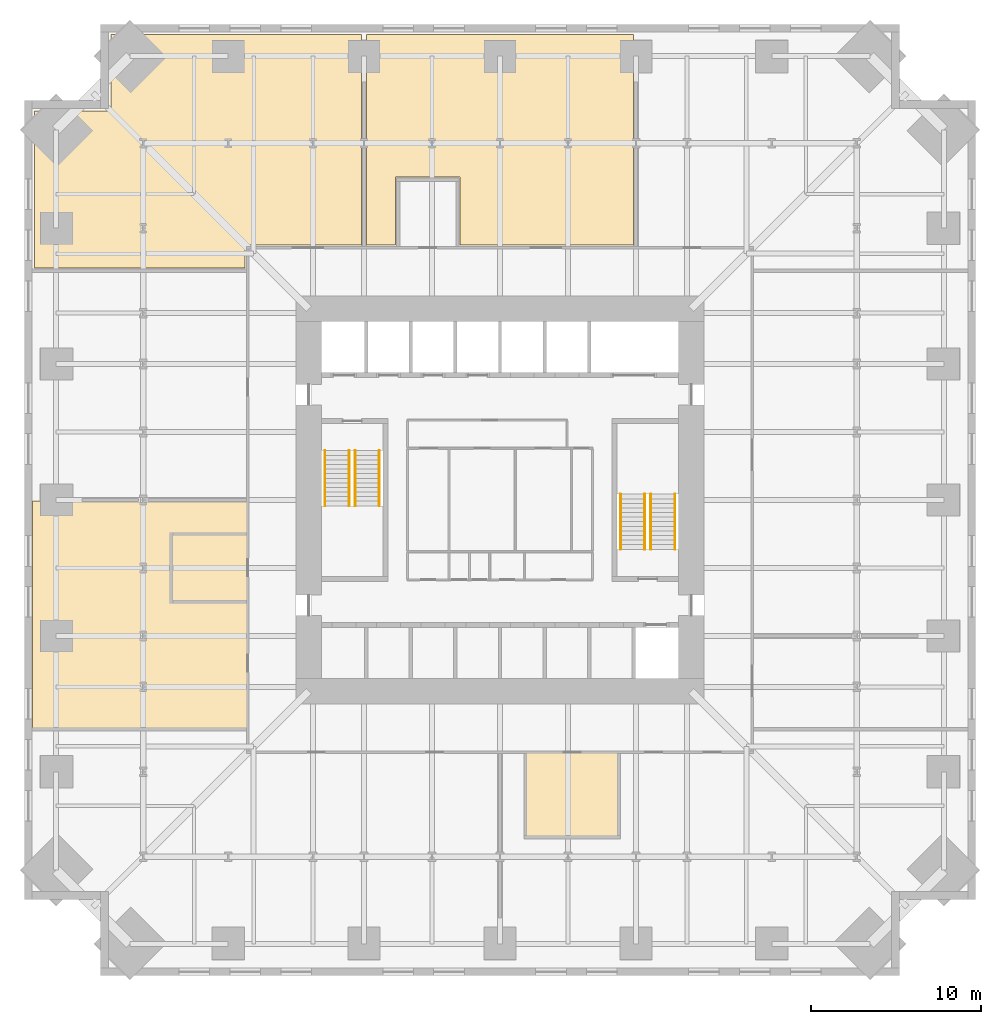
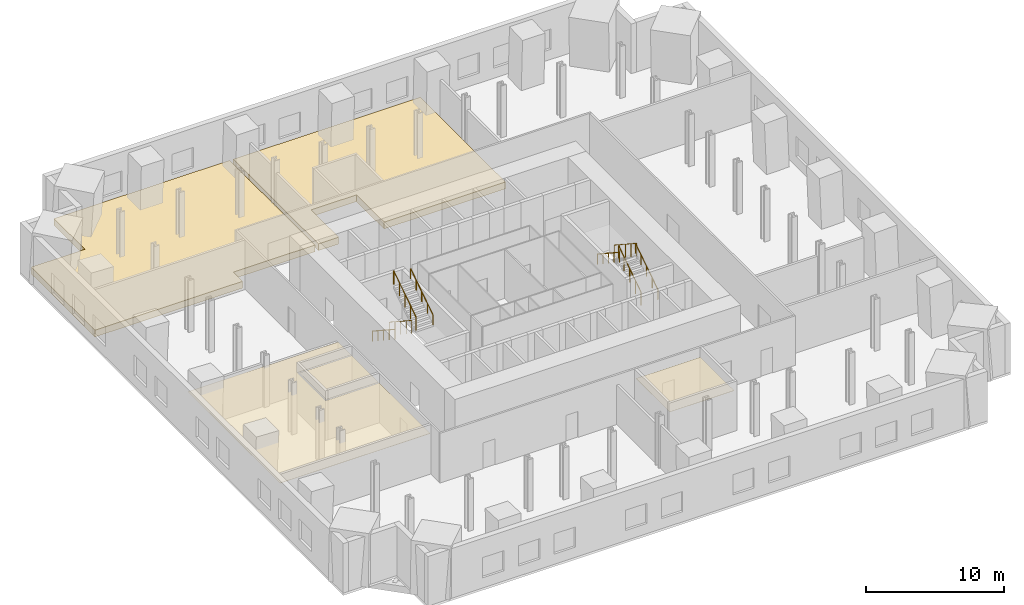
# One storey, part 8 of 8: 8 railings, 5 coverings.
"""IFC4 building model written with IfcOpenShell, lengths in metres."""

from ifc_helpers import new_model, si_unit, direction, frame, origin, origin_2d, place, context, subcontext, project, spatial, polyline, circle, outline, extrude, material, layer, layer_set, type_object, element, save


model = new_model("IFC4")

# Units and contexts
model_context = context("Model", 3, precision=1e-05, world=origin(), true_north=direction((0.0, 1.0)))
body_context = subcontext(model_context, "Body", "Model", "MODEL_VIEW")
ifc_project = project(units=[si_unit("LENGTHUNIT", "METRE"), si_unit("AREAUNIT", "SQUARE_METRE"), si_unit("VOLUMEUNIT", "CUBIC_METRE"), si_unit("PLANEANGLEUNIT", "RADIAN"), si_unit("MASSUNIT", "GRAM", prefix="KILO")], contexts=[model_context])

# Site, building, storey
site_placement = place(None, origin())
site = spatial("IfcSite", under=ifc_project, at=site_placement, CompositionType="ELEMENT")
building_placement = place(site_placement, origin())
building = spatial("IfcBuilding", under=site, at=building_placement, Name="Peilmerk Tower", CompositionType="ELEMENT")
storey_placement = place(building_placement, frame((0.0, 0.0, 118.199951171875)))
storey = spatial("IfcBuildingStorey", under=building, at=storey_placement, Name="L23", CompositionType="ELEMENT", Elevation=118.199951171875)

# Coverings
ifc_material_1 = material(Name="Mineral fibre ceiling tiles", Category="mineral")
ifc_layer_1 = layer(ifc_material_1, 0.02490234375)
ifc_layer_set_1 = layer_set([ifc_layer_1], Name="Mineral fibre ceiling tiles")
covering_type_1 = type_object("IfcCoveringType", Name="CL1 25 suspended ceiling", PredefinedType="CEILING", material=ifc_layer_set_1)
covering_1_placement = place(storey_placement, frame((0.0, 0.0, 3.47509765625)))
element("IfcCovering", 1, at=covering_1_placement, inside=storey, type_object=covering_type_1, Name="Suspended ceiling Operations office", PredefinedType="CEILING", context=body_context, shape_type="SweptSolid", body=[
    extrude(outline(polyline([(6.949951171875, -19.800048828125), (6.949951171875, -14.89990234375), (1.550048828125, -14.89990234375), (1.550048828125, -19.800048828125), (6.949951171875, -19.800048828125)])), origin(), (0.0, 0.0, 1.0), 0.02490234375),
])
covering_2_placement = place(storey_placement, frame((0.0, 0.0, 3.47509765625)))
element("IfcCovering", 2, at=covering_2_placement, inside=storey, type_object=covering_type_1, Name="Suspended ceiling Engineering office", PredefinedType="CEILING", context=body_context, shape_type="SweptSolid", body=[
    extrude(outline(polyline([(-14.89990234375, -0.050048828125), (-27.5, -0.050048828125), (-27.5, -13.449951171875), (-14.89990234375, -13.449951171875), (-14.89990234375, -6.050048828125), (-19.39990234375, -6.050048828125), (-19.39990234375, -1.949951171875), (-14.89990234375, -1.949951171875), (-14.89990234375, -0.050048828125)])), origin(), (0.0, 0.0, 1.0), 0.02490234375),
])
covering_3_placement = place(storey_placement, frame((0.0, 0.0, 3.47509765625)))
element("IfcCovering", 3, at=covering_3_placement, inside=storey, type_object=covering_type_1, Name="Suspended ceiling Meeting room", PredefinedType="CEILING", context=body_context, shape_type="SweptSolid", body=[
    extrude(outline(polyline([(-14.89990234375, -5.949951171875), (-14.89990234375, -2.050048828125), (-19.300048828125, -2.050048828125), (-19.300048828125, -5.949951171875), (-14.89990234375, -5.949951171875)])), origin(), (0.0, 0.0, 1.0), 0.02490234375),
])

# Railings
ifc_material_2 = material(Name="Steel flat bar balustrade", Category="steel")
railing_type_1 = type_object("IfcRailingType", Name="GR1 1200 stair guard", PredefinedType="GUARDRAIL", material=ifc_material_2)
railing_1_placement = place(storey_placement, frame((-8.8798828125, 2.89990234375, 0.177001953125)))
element("IfcRailing", 4, at=railing_1_placement, inside=storey, type_object=railing_type_1, Name="Guard stair 1 L23", PredefinedType="GUARDRAIL", context=body_context, shape_type="SweptSolid", body=[
    extrude(circle(Radius=0.02392578125, at=origin_2d()), frame((0.0, 0.0, 1.17578125), z_axis=(0.0, -0.836426258751, 0.548079477514), x_axis=(1.0, 0.0, 0.0)), (0.0, 0.0, 1.0), 3.87353515625),
    extrude(circle(Radius=0.02099609375, at=origin_2d()), origin(), (0.0, 0.0, 1.0), 1.15185546875),
    extrude(circle(Radius=0.02099609375, at=origin_2d()), frame((0.0, -0.81005859375, 0.53076171875)), (0.0, 0.0, 1.0), 1.15185546875),
    extrude(circle(Radius=0.02099609375, at=origin_2d()), frame((0.0, -1.6201171875, 1.0615234375)), (0.0, 0.0, 1.0), 1.15185546875),
    extrude(circle(Radius=0.02099609375, at=origin_2d()), frame((0.0, -2.429931640625, 1.59228515625)), (0.0, 0.0, 1.0), 1.15185546875),
    extrude(circle(Radius=0.02099609375, at=origin_2d()), frame((0.0, -3.239990234375, 2.123046875)), (0.0, 0.0, 1.0), 1.15185546875),
])
for number, where, name in (
    (5, (-8.52001953125, -0.340087890625, 2.47705078125), "Guard stair 1 L23"),
    (6, (8.8798828125, -2.89990234375, 0.177001953125), "Guard stair 2 L23"),
):
    element("IfcRailing", number, at=place(storey_placement, frame(where)), inside=storey, type_object=railing_type_1, Name=name, PredefinedType="GUARDRAIL", context=body_context, shape_type="SweptSolid", body=[
        extrude(circle(Radius=0.02392578125, at=origin_2d()), frame((0.0, 0.0, 1.17578125), z_axis=(0.0, 0.836426258751, 0.548079477514), x_axis=(-1.0, 0.0, 0.0)), (0.0, 0.0, 1.0), 3.87353515625),
        extrude(circle(Radius=0.02099609375, at=origin_2d()), origin(), (0.0, 0.0, 1.0), 1.15185546875),
        extrude(circle(Radius=0.02099609375, at=origin_2d()), frame((0.0, 0.81005859375, 0.53076171875)), (0.0, 0.0, 1.0), 1.15185546875),
        extrude(circle(Radius=0.02099609375, at=origin_2d()), frame((0.0, 1.6201171875, 1.0615234375)), (0.0, 0.0, 1.0), 1.15185546875),
        extrude(circle(Radius=0.02099609375, at=origin_2d()), frame((0.0, 2.429931640625, 1.59228515625)), (0.0, 0.0, 1.0), 1.15185546875),
        extrude(circle(Radius=0.02099609375, at=origin_2d()), frame((0.0, 3.239990234375, 2.123046875)), (0.0, 0.0, 1.0), 1.15185546875),
    ])
railing_2_placement = place(storey_placement, frame((8.52001953125, 0.340087890625, 2.47705078125)))
element("IfcRailing", 7, at=railing_2_placement, inside=storey, type_object=railing_type_1, Name="Guard stair 2 L23", PredefinedType="GUARDRAIL", context=body_context, shape_type="SweptSolid", body=[
    extrude(circle(Radius=0.02392578125, at=origin_2d()), frame((0.0, 0.0, 1.17578125), z_axis=(0.0, -0.836426258751, 0.548079477514), x_axis=(1.0, 0.0, 0.0)), (0.0, 0.0, 1.0), 3.87353515625),
    extrude(circle(Radius=0.02099609375, at=origin_2d()), origin(), (0.0, 0.0, 1.0), 1.15185546875),
    extrude(circle(Radius=0.02099609375, at=origin_2d()), frame((0.0, -0.81005859375, 0.53076171875)), (0.0, 0.0, 1.0), 1.15185546875),
    extrude(circle(Radius=0.02099609375, at=origin_2d()), frame((0.0, -1.6201171875, 1.0615234375)), (0.0, 0.0, 1.0), 1.15185546875),
    extrude(circle(Radius=0.02099609375, at=origin_2d()), frame((0.0, -2.429931640625, 1.59228515625)), (0.0, 0.0, 1.0), 1.15185546875),
    extrude(circle(Radius=0.02099609375, at=origin_2d()), frame((0.0, -3.239990234375, 2.123046875)), (0.0, 0.0, 1.0), 1.15185546875),
])
ifc_material_3 = material(Name="Stainless steel tube", Category="steel")
railing_type_2 = type_object("IfcRailingType", Name="HR1 900 stair handrail", PredefinedType="HANDRAIL", material=ifc_material_3)
railing_3_placement = place(storey_placement, frame((-10.300048828125, 2.89990234375, 0.177001953125)))
element("IfcRailing", 8, at=railing_3_placement, inside=storey, type_object=railing_type_2, Name="Handrail stair 1 L23", PredefinedType="HANDRAIL", context=body_context, shape_type="SweptSolid", body=[
    extrude(circle(Radius=0.02392578125, at=origin_2d()), frame((0.0, 0.0, 0.8759765625), z_axis=(0.0, -0.836426258751, 0.548079477514), x_axis=(1.0, 0.0, 0.0)), (0.0, 0.0, 1.0), 3.87353515625),
    extrude(circle(Radius=0.02099609375, at=origin_2d()), origin(), (0.0, 0.0, 1.0), 0.851806640625),
    extrude(circle(Radius=0.02099609375, at=origin_2d()), frame((0.0, -0.81005859375, 0.53076171875)), (0.0, 0.0, 1.0), 0.851806640625),
    extrude(circle(Radius=0.02099609375, at=origin_2d()), frame((0.0, -1.6201171875, 1.0615234375)), (0.0, 0.0, 1.0), 0.851806640625),
    extrude(circle(Radius=0.02099609375, at=origin_2d()), frame((0.0, -2.429931640625, 1.59228515625)), (0.0, 0.0, 1.0), 0.851806640625),
    extrude(circle(Radius=0.02099609375, at=origin_2d()), frame((0.0, -3.239990234375, 2.123046875)), (0.0, 0.0, 1.0), 0.851806640625),
])
for number, where, name in (
    (9, (-7.10009765625, -0.340087890625, 2.47705078125), "Handrail stair 1 L23"),
    (10, (10.300048828125, -2.89990234375, 0.177001953125), "Handrail stair 2 L23"),
):
    element("IfcRailing", number, at=place(storey_placement, frame(where)), inside=storey, type_object=railing_type_2, Name=name, PredefinedType="HANDRAIL", context=body_context, shape_type="SweptSolid", body=[
        extrude(circle(Radius=0.02392578125, at=origin_2d()), frame((0.0, 0.0, 0.8759765625), z_axis=(0.0, 0.836426258751, 0.548079477514), x_axis=(-1.0, 0.0, 0.0)), (0.0, 0.0, 1.0), 3.87353515625),
        extrude(circle(Radius=0.02099609375, at=origin_2d()), origin(), (0.0, 0.0, 1.0), 0.851806640625),
        extrude(circle(Radius=0.02099609375, at=origin_2d()), frame((0.0, 0.81005859375, 0.53076171875)), (0.0, 0.0, 1.0), 0.851806640625),
        extrude(circle(Radius=0.02099609375, at=origin_2d()), frame((0.0, 1.6201171875, 1.0615234375)), (0.0, 0.0, 1.0), 0.851806640625),
        extrude(circle(Radius=0.02099609375, at=origin_2d()), frame((0.0, 2.429931640625, 1.59228515625)), (0.0, 0.0, 1.0), 0.851806640625),
        extrude(circle(Radius=0.02099609375, at=origin_2d()), frame((0.0, 3.239990234375, 2.123046875)), (0.0, 0.0, 1.0), 0.851806640625),
    ])
railing_4_placement = place(storey_placement, frame((7.10009765625, 0.340087890625, 2.47705078125)))
element("IfcRailing", 11, at=railing_4_placement, inside=storey, type_object=railing_type_2, Name="Handrail stair 2 L23", PredefinedType="HANDRAIL", context=body_context, shape_type="SweptSolid", body=[
    extrude(circle(Radius=0.02392578125, at=origin_2d()), frame((0.0, 0.0, 0.8759765625), z_axis=(0.0, -0.836426258751, 0.548079477514), x_axis=(1.0, 0.0, 0.0)), (0.0, 0.0, 1.0), 3.87353515625),
    extrude(circle(Radius=0.02099609375, at=origin_2d()), origin(), (0.0, 0.0, 1.0), 0.851806640625),
    extrude(circle(Radius=0.02099609375, at=origin_2d()), frame((0.0, -0.81005859375, 0.53076171875)), (0.0, 0.0, 1.0), 0.851806640625),
    extrude(circle(Radius=0.02099609375, at=origin_2d()), frame((0.0, -1.6201171875, 1.0615234375)), (0.0, 0.0, 1.0), 0.851806640625),
    extrude(circle(Radius=0.02099609375, at=origin_2d()), frame((0.0, -2.429931640625, 1.59228515625)), (0.0, 0.0, 1.0), 0.851806640625),
    extrude(circle(Radius=0.02099609375, at=origin_2d()), frame((0.0, -3.239990234375, 2.123046875)), (0.0, 0.0, 1.0), 0.851806640625),
])

# Coverings
ifc_material_4 = material(Name="Steel raised access floor panels on pedestals", Category="steel")
ifc_layer_2 = layer(ifc_material_4, 0.60009765625)
ifc_layer_set_2 = layer_set([ifc_layer_2], Name="Steel raised access floor panels on pedestals")
covering_type_2 = type_object("IfcCoveringType", Name="RF1 600 raised access floor", PredefinedType="FLOORING", material=ifc_layer_set_2)
covering_4_placement = place(storey_placement, origin())
element("IfcCovering", 12, at=covering_4_placement, inside=storey, type_object=covering_type_2, Name="Raised access floor Mobile switching room", PredefinedType="FLOORING", context=body_context, shape_type="SweptSolid", body=[
    extrude(outline(polyline([(-27.39990234375, 22.89990234375), (-27.39990234375, 13.64990234375), (-15.0, 13.64990234375), (-15.0, 15.0), (-8.14990234375, 15.0), (-8.14990234375, 27.39990234375), (-22.89990234375, 27.39990234375), (-22.89990234375, 22.89990234375), (-27.39990234375, 22.89990234375)])), origin(), (0.0, 0.0, 1.0), 0.60009765625),
])
covering_5_placement = place(storey_placement, origin())
element("IfcCovering", 13, at=covering_5_placement, inside=storey, type_object=covering_type_2, Name="Raised access floor Transmission room", PredefinedType="FLOORING", context=body_context, shape_type="SweptSolid", body=[
    extrude(outline(polyline([(7.85009765625, 15.0), (7.85009765625, 27.39990234375), (-7.85009765625, 27.39990234375), (-7.85009765625, 15.0), (-6.14990234375, 15.0), (-6.14990234375, 19.0), (-2.35009765625, 19.0), (-2.35009765625, 15.0), (7.85009765625, 15.0)])), origin(), (0.0, 0.0, 1.0), 0.60009765625),
])

save(model, "model.ifc")
